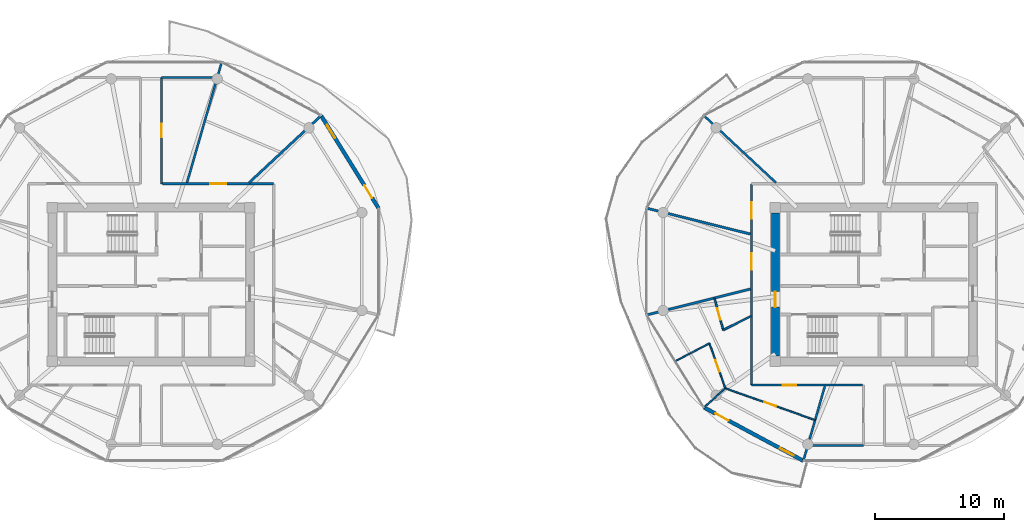
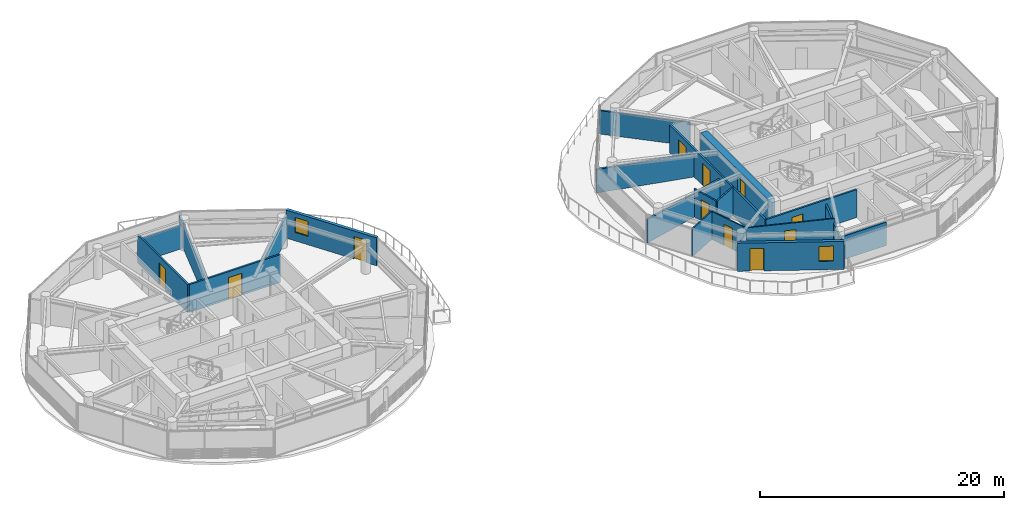
# One storey, part 15 of 21: 21 walls, 11 doors, 2 windows, 13 openings.
"""IFC4 building model written with IfcOpenShell, lengths in metres."""

from ifc_helpers import new_model, si_unit, direction, frame, frame_2d, origin, place, context, subcontext, project, spatial, rectangle, extrude, source, transform, mapped, material, layer, layer_set, type_object, type_shapes, element, fill, save


model = new_model("IFC4")

# Units and contexts
model_context = context("Model", 3, precision=1e-05, world=origin(), true_north=direction((0.0, 1.0)))
body_context = subcontext(model_context, "Body", "Model", "MODEL_VIEW")
ifc_project = project(units=[si_unit("LENGTHUNIT", "METRE"), si_unit("AREAUNIT", "SQUARE_METRE"), si_unit("VOLUMEUNIT", "CUBIC_METRE"), si_unit("PLANEANGLEUNIT", "RADIAN"), si_unit("MASSUNIT", "GRAM", prefix="KILO")], contexts=[model_context])

# Site, building, storey
site_placement = place(None, origin())
site = spatial("IfcSite", under=ifc_project, at=site_placement, CompositionType="ELEMENT")
building_placement = place(site_placement, origin())
building = spatial("IfcBuilding", under=site, at=building_placement, Name="Norrkilde Senior Care Towers", CompositionType="ELEMENT")
storey_placement = place(building_placement, frame((0.0, 0.0, 140.39990234375)))
storey = spatial("IfcBuildingStorey", under=building, at=storey_placement, Name="L43", CompositionType="ELEMENT", Elevation=140.39990234375)

# Wall, opening, door
ifc_material_1 = material(Name="Concrete C50/60", Category="concrete")
ifc_layer_1 = layer(ifc_material_1, 0.6201171875)
ifc_layer_set_1 = layer_set([ifc_layer_1], Name="Concrete C50/60")
wall_type_1 = type_object("IfcWallType", Name="Core Shear Wall Z3 620", PredefinedType="SHEAR", material=ifc_layer_set_1)
shared_shape_1 = source(origin(), body_context, "Body", "SweptSolid", [
    extrude(rectangle(XDim=11.10009765625, YDim=0.6201171875, at=frame_2d((5.550048828125, 0.0))), origin(), (0.0, 0.0, 1.0), 2.81005859375),
])
type_shapes(wall_type_1, [shared_shape_1])
wall_1_placement = place(storey_placement, frame((20.35009765625, -5.550048828125, 0.0), z_axis=(0.0, 0.0, 1.0), x_axis=(0.0, 1.0, 0.0)))
wall_1 = element("IfcWall", 1, at=wall_1_placement, inside=storey, type_object=wall_type_1, Name="L43 Core E West Shear Wall", PredefinedType="SHEAR", context=body_context, shape_type="MappedRepresentation", body=[
    mapped(shared_shape_1, transform((0.0, 0.0, 0.0), x_axis=(1.0, 0.0, 0.0), y_axis=(0.0, 1.0, 0.0), z_axis=(0.0, 0.0, 1.0), scale=1.0)),
])
opening_1_placement = place(wall_1_placement, frame((3.800048828125, 0.0, 0.0)))
opening_1 = element("IfcOpeningElement", 2, at=opening_1_placement, cuts=wall_1, Name="Opening D-04", PredefinedType="OPENING", context=body_context, shape_type="SweptSolid", body=[
    extrude(rectangle(XDim=1.199951171875, YDim=2.14990234375, at=frame_2d((0.60009765625, 1.074951171875))), frame((0.0, 0.320068359375, 0.0), z_axis=(0.0, -1.0, 0.0), x_axis=(1.0, 0.0, 0.0)), (0.0, 0.0, 1.0), 0.64013671875),
])
ifc_material_2 = material(Name="Galvanised Painted Steel", Category="steel")
door_type_1 = type_object("IfcDoorType", Name="Firefighting Lobby Fire Door 1200x2150", OperationType="NOTDEFINED", PredefinedType="DOOR", material=ifc_material_2)
shared_shape_2 = source(origin(), body_context, "Body", "SweptSolid", [
    extrude(rectangle(XDim=1.199951171875, YDim=2.14990234375, at=frame_2d((0.60009765625, 1.074951171875))), frame((0.0, 0.02490234375, 0.0), z_axis=(0.0, -1.0, 0.0), x_axis=(1.0, 0.0, 0.0)), (0.0, 0.0, 1.0), 0.050048828125),
])
type_shapes(door_type_1, [shared_shape_2])
door_1_placement = place(opening_1_placement, frame((1.199951171875, 0.0, 0.0), z_axis=(0.0, 0.0, 1.0), x_axis=(-1.0, 0.0, 0.0)))
door_1 = element("IfcDoor", 3, at=door_1_placement, inside=storey, type_object=door_type_1, Name="L43 Core E West Portal Door", OperationType="SINGLE_SWING_LEFT", OverallHeight=2.14990234375, OverallWidth=1.199951171875, PredefinedType="DOOR", context=body_context, shape_type="MappedRepresentation", body=[
    mapped(shared_shape_2, transform((0.0, 0.0, 0.0), x_axis=(1.0, 0.0, 0.0), y_axis=(0.0, 1.0, 0.0), z_axis=(0.0, 0.0, 1.0), scale=1.0)),
])
fill(opening_1, door_1)

# Wall, openings, door, window
ifc_material_3 = material(Name="Precast concrete C45/55", Category="concrete")
ifc_layer_2 = layer(ifc_material_3, 0.2900390625)
ifc_layer_set_2 = layer_set([ifc_layer_2], Name="Precast concrete C45/55")
wall_type_2 = type_object("IfcWallType", Name="Winter Garden Facade Wall 290", PredefinedType="SOLIDWALL", material=ifc_layer_set_2)
shared_shape_3 = source(origin(), body_context, "Body", "SweptSolid", [
    extrude(rectangle(XDim=8.741943359375, YDim=0.2900390625, at=frame_2d((4.37109375, 0.0))), origin(), (0.0, 0.0, 1.0), 2.81005859375),
])
wall_2_placement = place(storey_placement, frame((22.528564453125, -13.66015625, 0.0), z_axis=(0.0, 0.0, 1.0), x_axis=(-0.880998740657, 0.473118609823, 0.0)))
wall_2 = element("IfcWall", 4, at=wall_2_placement, inside=storey, type_object=wall_type_2, Name="L43 Drum E Balcony Access Wall 07", PredefinedType="SOLIDWALL", context=body_context, shape_type="MappedRepresentation", body=[
    mapped(shared_shape_3, transform((0.0, 0.0, 0.0), x_axis=(1.0, 0.0, 0.0), y_axis=(0.0, 1.0, 0.0), z_axis=(0.0, 0.0, 1.0), scale=1.0)),
])
opening_2_placement = place(wall_2_placement, frame((6.580078125, 0.0, 0.0)))
opening_2 = element("IfcOpeningElement", 5, at=opening_2_placement, cuts=wall_2, Name="Opening D-09", PredefinedType="OPENING", context=body_context, shape_type="SweptSolid", body=[
    extrude(rectangle(XDim=1.14990234375, YDim=2.25, at=frame_2d((0.574951171875, 1.125))), frame((0.0, 0.155029296875, 0.0), z_axis=(0.0, -1.0, 0.0), x_axis=(1.0, 0.0, 0.0)), (0.0, 0.0, 1.0), 0.31005859375),
])
opening_3_placement = place(wall_2_placement, frame((0.85009765625, 0.0, 0.85009765625)))
opening_3 = element("IfcOpeningElement", 6, at=opening_3_placement, cuts=wall_2, Name="Opening WN-07", PredefinedType="OPENING", context=body_context, shape_type="SweptSolid", body=[
    extrude(rectangle(XDim=1.199951171875, YDim=1.5, at=frame_2d((0.60009765625, 0.75))), frame((0.0, 0.155029296875, 0.0), z_axis=(0.0, -1.0, 0.0), x_axis=(1.0, 0.0, 0.0)), (0.0, 0.0, 1.0), 0.31005859375),
])
ifc_material_4 = material(Name="Anodised Aluminium", Category="aluminium")
door_type_2 = type_object("IfcDoorType", Name="Terrace and Balcony Glazed Door 1150x2250", OperationType="NOTDEFINED", PredefinedType="DOOR", material=ifc_material_4)
shared_shape_4 = source(origin(), body_context, "Body", "SweptSolid", [
    extrude(rectangle(XDim=1.14990234375, YDim=2.25, at=frame_2d((0.574951171875, 1.125))), frame((0.0, 0.02490234375, 0.0), z_axis=(0.0, -1.0, 0.0), x_axis=(1.0, 0.0, 0.0)), (0.0, 0.0, 1.0), 0.050048828125),
])
type_shapes(door_type_2, [shared_shape_4])
door_2_placement = place(opening_2_placement, origin())
door_2 = element("IfcDoor", 7, at=door_2_placement, inside=storey, type_object=door_type_2, Name="L43 Drum E Outdoor Terrace Door 07", OperationType="SINGLE_SWING_RIGHT", OverallHeight=2.25, OverallWidth=1.14990234375, PredefinedType="DOOR", context=body_context, shape_type="MappedRepresentation", body=[
    mapped(shared_shape_4, transform((0.0, 0.0, 0.0), x_axis=(1.0, 0.0, 0.0), y_axis=(0.0, 1.0, 0.0), z_axis=(0.0, 0.0, 1.0), scale=1.0)),
])
fill(opening_2, door_2)
ifc_material_5 = material(Name="Triple Low-E Insulated Glazing", Category="glass")
window_type = type_object("IfcWindowType", Name="Stairwell Smoke Vent Window 1200x1500", PartitioningType="SINGLE_PANEL", PredefinedType="WINDOW", material=ifc_material_5)
shared_shape_5 = source(origin(), body_context, "Body", "SweptSolid", [
    extrude(rectangle(XDim=1.199951171875, YDim=1.5, at=frame_2d((0.60009765625, 0.75))), frame((0.0, 0.030029296875, 0.0), z_axis=(0.0, -1.0, 0.0), x_axis=(1.0, 0.0, 0.0)), (0.0, 0.0, 1.0), 0.06005859375),
])
type_shapes(window_type, [shared_shape_5])
window_1_placement = place(opening_3_placement, origin())
window_1 = element("IfcWindow", 8, at=window_1_placement, inside=storey, type_object=window_type, Name="L43 Drum E Winter Garden Window 07", OverallHeight=1.5, OverallWidth=1.199951171875, PartitioningType="SINGLE_PANEL", PredefinedType="WINDOW", context=body_context, shape_type="MappedRepresentation", body=[
    mapped(shared_shape_5, transform((0.0, 0.0, 0.0), x_axis=(1.0, 0.0, 0.0), y_axis=(0.0, 1.0, 0.0), z_axis=(0.0, 0.0, 1.0), scale=1.0)),
])
fill(opening_3, window_1)

shared_shape_6 = source(origin(), body_context, "Body", "SweptSolid", [
    extrude(rectangle(XDim=8.431396484375, YDim=0.2900390625, at=frame_2d((4.2158203125, 0.0))), origin(), (0.0, 0.0, 1.0), 2.81005859375),
])
type_shapes(wall_type_2, [shared_shape_3, shared_shape_6])
wall_3_placement = place(storey_placement, frame((-14.826904296875, 13.074951171875, 0.0), z_axis=(0.0, 0.0, 1.0), x_axis=(0.527377998418, -0.849630770855, 0.0)))
wall_3 = element("IfcWall", 9, at=wall_3_placement, inside=storey, type_object=wall_type_2, Name="L43 Drum W Balcony Access Wall 00", PredefinedType="SOLIDWALL", context=body_context, shape_type="MappedRepresentation", body=[
    mapped(shared_shape_6, transform((0.0, 0.0, 0.0), x_axis=(1.0, 0.0, 0.0), y_axis=(0.0, 1.0, 0.0), z_axis=(0.0, 0.0, 1.0), scale=1.0)),
])
opening_4_placement = place(wall_3_placement, frame((6.340087890625, 0.0, 0.0)))
opening_4 = element("IfcOpeningElement", 10, at=opening_4_placement, cuts=wall_3, Name="Opening D-09", PredefinedType="OPENING", context=body_context, shape_type="SweptSolid", body=[
    extrude(rectangle(XDim=1.14990234375, YDim=2.25, at=frame_2d((0.574951171875, 1.125))), frame((0.0, 0.155029296875, 0.0), z_axis=(0.0, -1.0, 0.0), x_axis=(1.0, 0.0, 0.0)), (0.0, 0.0, 1.0), 0.31005859375),
])
opening_5_placement = place(wall_3_placement, frame((0.85009765625, 0.0, 0.85009765625)))
opening_5 = element("IfcOpeningElement", 11, at=opening_5_placement, cuts=wall_3, Name="Opening WN-07", PredefinedType="OPENING", context=body_context, shape_type="SweptSolid", body=[
    extrude(rectangle(XDim=1.199951171875, YDim=1.5, at=frame_2d((0.60009765625, 0.75))), frame((0.0, 0.155029296875, 0.0), z_axis=(0.0, -1.0, 0.0), x_axis=(1.0, 0.0, 0.0)), (0.0, 0.0, 1.0), 0.31005859375),
])
door_3_placement = place(opening_4_placement, origin())
door_3 = element("IfcDoor", 12, at=door_3_placement, inside=storey, type_object=door_type_2, Name="L43 Drum W Outdoor Terrace Door 00", OperationType="SINGLE_SWING_LEFT", OverallHeight=2.25, OverallWidth=1.14990234375, PredefinedType="DOOR", context=body_context, shape_type="MappedRepresentation", body=[
    mapped(shared_shape_4, transform((0.0, 0.0, 0.0), x_axis=(1.0, 0.0, 0.0), y_axis=(0.0, 1.0, 0.0), z_axis=(0.0, 0.0, 1.0), scale=1.0)),
])
fill(opening_4, door_3)
window_2_placement = place(opening_5_placement, origin())
window_2 = element("IfcWindow", 13, at=window_2_placement, inside=storey, type_object=window_type, Name="L43 Drum W Winter Garden Window 00", OverallHeight=1.5, OverallWidth=1.199951171875, PartitioningType="SINGLE_PANEL", PredefinedType="WINDOW", context=body_context, shape_type="MappedRepresentation", body=[
    mapped(shared_shape_5, transform((0.0, 0.0, 0.0), x_axis=(1.0, 0.0, 0.0), y_axis=(0.0, 1.0, 0.0), z_axis=(0.0, 0.0, 1.0), scale=1.0)),
])
fill(opening_5, window_2)

# Wall, opening, door
ifc_material_6 = material(Name="Gypsum Acoustic Board")
ifc_layer_3 = layer(ifc_material_6, 0.1650390625)
ifc_layer_set_3 = layer_set([ifc_layer_3], Name="Gypsum Acoustic Board")
wall_type_3 = type_object("IfcWallType", Name="Corridor Rated Partition 165", PredefinedType="PARTITIONING", material=ifc_layer_set_3)
shared_shape_7 = source(origin(), body_context, "Body", "SweptSolid", [
    extrude(rectangle(XDim=8.60009765625, YDim=0.1650390625, at=frame_2d((4.300048828125, 0.0))), origin(), (0.0, 0.0, 1.0), 2.795166015625),
])
wall_4_placement = place(storey_placement, frame((-27.10009765625, 7.800048828125, 0.0), z_axis=(0.0, 0.0, 1.0), x_axis=(1.0, 0.0, 0.0)))
wall_4 = element("IfcWall", 14, at=wall_4_placement, inside=storey, type_object=wall_type_3, Name="WL-INT-L43-W-CRW-N-1", PredefinedType="PARTITIONING", context=body_context, shape_type="MappedRepresentation", body=[
    mapped(shared_shape_7, transform((0.0, 0.0, 0.0), x_axis=(1.0, 0.0, 0.0), y_axis=(0.0, 1.0, 0.0), z_axis=(0.0, 0.0, 1.0), scale=1.0)),
])
opening_6_placement = place(wall_4_placement, frame((3.688232421875, 0.0, 0.0)))
opening_6 = element("IfcOpeningElement", 15, at=opening_6_placement, cuts=wall_4, Name="Opening D-05", PredefinedType="OPENING", context=body_context, shape_type="SweptSolid", body=[
    extrude(rectangle(XDim=1.25, YDim=2.199951171875, at=frame_2d((0.625, 1.10009765625))), frame((0.0, 0.092529296875, 0.0), z_axis=(0.0, -1.0, 0.0), x_axis=(1.0, 0.0, 0.0)), (0.0, 0.0, 1.0), 0.18505859375),
])
ifc_material_7 = material(Name="Nordic Ash Timber", Category="wood")
door_type_3 = type_object("IfcDoorType", Name="Care Bedroom Bariatric Door 1250x2200", OperationType="NOTDEFINED", PredefinedType="DOOR", material=ifc_material_7)
shared_shape_8 = source(origin(), body_context, "Body", "SweptSolid", [
    extrude(rectangle(XDim=1.25, YDim=2.199951171875, at=frame_2d((0.625, 1.10009765625))), frame((0.0, 0.02490234375, 0.0), z_axis=(0.0, -1.0, 0.0), x_axis=(1.0, 0.0, 0.0)), (0.0, 0.0, 1.0), 0.050048828125),
])
type_shapes(door_type_3, [shared_shape_8])
door_4_placement = place(opening_6_placement, frame((1.25, 0.0, 0.0), z_axis=(0.0, 0.0, 1.0), x_axis=(-1.0, 0.0, 0.0)))
door_4 = element("IfcDoor", 16, at=door_4_placement, inside=storey, type_object=door_type_3, Name="L43 Household Therapeutic Kitchen Door", OperationType="SINGLE_SWING_RIGHT", OverallHeight=2.199951171875, OverallWidth=1.25, PredefinedType="DOOR", context=body_context, shape_type="MappedRepresentation", body=[
    mapped(shared_shape_8, transform((0.0, 0.0, 0.0), x_axis=(1.0, 0.0, 0.0), y_axis=(0.0, 1.0, 0.0), z_axis=(0.0, 0.0, 1.0), scale=1.0)),
])
fill(opening_6, door_4)

wall_5_placement = place(storey_placement, frame((27.10009765625, -7.800048828125, 0.0), z_axis=(0.0, 0.0, 1.0), x_axis=(-1.0, 0.0, 0.0)))
wall_5 = element("IfcWall", 17, at=wall_5_placement, inside=storey, type_object=wall_type_3, Name="WL-INT-L43-E-CRW-S-1", PredefinedType="PARTITIONING", context=body_context, shape_type="MappedRepresentation", body=[
    mapped(shared_shape_7, transform((0.0, 0.0, 0.0), x_axis=(1.0, 0.0, 0.0), y_axis=(0.0, 1.0, 0.0), z_axis=(0.0, 0.0, 1.0), scale=1.0)),
])
opening_7_placement = place(wall_5_placement, frame((5.11474609375, 0.0, 0.0)))
opening_7 = element("IfcOpeningElement", 18, at=opening_7_placement, cuts=wall_5, Name="Opening D-06", PredefinedType="OPENING", context=body_context, shape_type="SweptSolid", body=[
    extrude(rectangle(XDim=1.050048828125, YDim=2.14990234375, at=frame_2d((0.52490234375, 1.074951171875))), frame((0.0, 0.092529296875, 0.0), z_axis=(0.0, -1.0, 0.0), x_axis=(1.0, 0.0, 0.0)), (0.0, 0.0, 1.0), 0.18505859375),
])
door_type_4 = type_object("IfcDoorType", Name="Apartment Entrance Fire Door 1050x2150", OperationType="NOTDEFINED", PredefinedType="DOOR", material=ifc_material_7)
shared_shape_9 = source(origin(), body_context, "Body", "SweptSolid", [
    extrude(rectangle(XDim=1.050048828125, YDim=2.14990234375, at=frame_2d((0.52490234375, 1.074951171875))), frame((0.0, 0.02490234375, 0.0), z_axis=(0.0, -1.0, 0.0), x_axis=(1.0, 0.0, 0.0)), (0.0, 0.0, 1.0), 0.050048828125),
])
type_shapes(door_type_4, [shared_shape_9])
door_5_placement = place(opening_7_placement, frame((1.050048828125, 0.0, 0.0), z_axis=(0.0, 0.0, 1.0), x_axis=(-1.0, 0.0, 0.0)))
door_5 = element("IfcDoor", 19, at=door_5_placement, inside=storey, type_object=door_type_4, Name="Apartment 43C Entrance Door", OperationType="SINGLE_SWING_LEFT", OverallHeight=2.14990234375, OverallWidth=1.050048828125, PredefinedType="DOOR", context=body_context, shape_type="MappedRepresentation", body=[
    mapped(shared_shape_9, transform((0.0, 0.0, 0.0), x_axis=(1.0, 0.0, 0.0), y_axis=(0.0, 1.0, 0.0), z_axis=(0.0, 0.0, 1.0), scale=1.0)),
])
fill(opening_7, door_5)

# Wall, openings, doors
shared_shape_10 = source(origin(), body_context, "Body", "SweptSolid", [
    extrude(rectangle(XDim=15.60009765625, YDim=0.1650390625, at=frame_2d((7.800048828125, 0.0))), origin(), (0.0, 0.0, 1.0), 2.795166015625),
])
wall_6_placement = place(storey_placement, frame((18.5, -7.800048828125, 0.0), z_axis=(0.0, 0.0, 1.0), x_axis=(0.0, 1.0, 0.0)))
wall_6 = element("IfcWall", 20, at=wall_6_placement, inside=storey, type_object=wall_type_3, Name="WL-INT-L43-E-CRW-W-0", PredefinedType="PARTITIONING", context=body_context, shape_type="MappedRepresentation", body=[
    mapped(shared_shape_10, transform((0.0, 0.0, 0.0), x_axis=(1.0, 0.0, 0.0), y_axis=(0.0, 1.0, 0.0), z_axis=(0.0, 0.0, 1.0), scale=1.0)),
])
opening_8_placement = place(wall_6_placement, frame((12.903076171875, 0.0, 0.0)))
opening_8 = element("IfcOpeningElement", 21, at=opening_8_placement, cuts=wall_6, Name="Opening D-05", PredefinedType="OPENING", context=body_context, shape_type="SweptSolid", body=[
    extrude(rectangle(XDim=1.25, YDim=2.199951171875, at=frame_2d((0.625, 1.10009765625))), frame((0.0, 0.092529296875, 0.0), z_axis=(0.0, -1.0, 0.0), x_axis=(1.0, 0.0, 0.0)), (0.0, 0.0, 1.0), 0.18505859375),
])
opening_9_placement = place(wall_6_placement, frame((8.950439453125, 0.0, 0.0)))
opening_9 = element("IfcOpeningElement", 22, at=opening_9_placement, cuts=wall_6, Name="Opening D-05", PredefinedType="OPENING", context=body_context, shape_type="SweptSolid", body=[
    extrude(rectangle(XDim=1.25, YDim=2.199951171875, at=frame_2d((0.625, 1.10009765625))), frame((0.0, 0.092529296875, 0.0), z_axis=(0.0, -1.0, 0.0), x_axis=(1.0, 0.0, 0.0)), (0.0, 0.0, 1.0), 0.18505859375),
])
door_6_placement = place(opening_8_placement, frame((1.25, 0.0, 0.0), z_axis=(0.0, 0.0, 1.0), x_axis=(-1.0, 0.0, 0.0)))
door_6 = element("IfcDoor", 23, at=door_6_placement, inside=storey, type_object=door_type_3, Name="L43 Sky-Garden Observatory Dining Salon L43 Door", OperationType="SINGLE_SWING_LEFT", OverallHeight=2.199951171875, OverallWidth=1.25, PredefinedType="DOOR", context=body_context, shape_type="MappedRepresentation", body=[
    mapped(shared_shape_8, transform((0.0, 0.0, 0.0), x_axis=(1.0, 0.0, 0.0), y_axis=(0.0, 1.0, 0.0), z_axis=(0.0, 0.0, 1.0), scale=1.0)),
])
fill(opening_8, door_6)
door_7_placement = place(opening_9_placement, frame((1.25, 0.0, 0.0), z_axis=(0.0, 0.0, 1.0), x_axis=(-1.0, 0.0, 0.0)))
door_7 = element("IfcDoor", 24, at=door_7_placement, inside=storey, type_object=door_type_3, Name="L43 Senior Wellness Library Lounge Door", OperationType="SINGLE_SWING_RIGHT", OverallHeight=2.199951171875, OverallWidth=1.25, PredefinedType="DOOR", context=body_context, shape_type="MappedRepresentation", body=[
    mapped(shared_shape_8, transform((0.0, 0.0, 0.0), x_axis=(1.0, 0.0, 0.0), y_axis=(0.0, 1.0, 0.0), z_axis=(0.0, 0.0, 1.0), scale=1.0)),
])
fill(opening_9, door_7)

# Walls
shared_shape_11 = source(origin(), body_context, "Body", "SweptSolid", [
    extrude(rectangle(XDim=9.73046875, YDim=0.1650390625, at=frame_2d((4.865234375, 0.0))), origin(), (0.0, 0.0, 1.0), 2.34521484375),
])
wall_7_placement = place(storey_placement, frame((-25.216552734375, 7.8798828125, 0.0), z_axis=(0.0, 0.0, 1.0), x_axis=(0.27679492614, 0.960929013436, 0.0)))
element("IfcWall", 25, at=wall_7_placement, inside=storey, type_object=wall_type_3, Name="WL-INT-L43-W-DEM-02-0", PredefinedType="PARTITIONING", context=body_context, shape_type="MappedRepresentation", body=[
    mapped(shared_shape_11, transform((0.0, 0.0, 0.0), x_axis=(1.0, 0.0, 0.0), y_axis=(0.0, 1.0, 0.0), z_axis=(0.0, 0.0, 1.0), scale=1.0)),
])
shared_shape_12 = source(origin(), body_context, "Body", "SweptSolid", [
    extrude(rectangle(XDim=6.035400390625, YDim=0.1650390625, at=frame_2d((3.017578125, 0.0))), origin(), (0.0, 0.0, 1.0), 2.34521484375),
])
wall_8_placement = place(storey_placement, frame((24.19384765625, -7.8798828125, 0.0), z_axis=(0.0, 0.0, 1.0), x_axis=(-0.276809454862, -0.960924828329, 0.0)))
element("IfcWall", 26, at=wall_8_placement, inside=storey, type_object=wall_type_3, Name="WL-INT-L43-E-DEM-08-0", PredefinedType="PARTITIONING", context=body_context, shape_type="MappedRepresentation", body=[
    mapped(shared_shape_12, transform((0.0, 0.0, 0.0), x_axis=(1.0, 0.0, 0.0), y_axis=(0.0, 1.0, 0.0), z_axis=(0.0, 0.0, 1.0), scale=1.0)),
])

# Wall, opening, door
shared_shape_13 = source(origin(), body_context, "Body", "SweptSolid", [
    extrude(rectangle(XDim=8.2353515625, YDim=0.1650390625, at=frame_2d((4.11767578125, 0.0))), origin(), (0.0, 0.0, 1.0), 2.795166015625),
])
wall_9_placement = place(storey_placement, frame((-27.179931640625, 7.800048828125, 0.0), z_axis=(0.0, 0.0, 1.0), x_axis=(0.0, 1.0, 0.0)))
wall_9 = element("IfcWall", 27, at=wall_9_placement, inside=storey, type_object=wall_type_3, Name="WL-INT-L43-W-PKW-NEL", PredefinedType="PARTITIONING", context=body_context, shape_type="MappedRepresentation", body=[
    mapped(shared_shape_13, transform((0.0, 0.0, 0.0), x_axis=(1.0, 0.0, 0.0), y_axis=(0.0, 1.0, 0.0), z_axis=(0.0, 0.0, 1.0), scale=1.0)),
])
opening_10_placement = place(wall_9_placement, frame((3.5927734375, 0.0, 0.0)))
opening_10 = element("IfcOpeningElement", 28, at=opening_10_placement, cuts=wall_9, Name="Opening D-06", PredefinedType="OPENING", context=body_context, shape_type="SweptSolid", body=[
    extrude(rectangle(XDim=1.050048828125, YDim=2.14990234375, at=frame_2d((0.52490234375, 1.074951171875))), frame((0.0, 0.092529296875, 0.0), z_axis=(0.0, -1.0, 0.0), x_axis=(1.0, 0.0, 0.0)), (0.0, 0.0, 1.0), 0.18505859375),
])
door_8_placement = place(opening_10_placement, frame((1.050048828125, 0.0, 0.0), z_axis=(0.0, 0.0, 1.0), x_axis=(-1.0, 0.0, 0.0)))
door_8 = element("IfcDoor", 29, at=door_8_placement, inside=storey, type_object=door_type_4, Name="L43 Reading Lounge NEL Door", OperationType="SINGLE_SWING_RIGHT", OverallHeight=2.14990234375, OverallWidth=1.050048828125, PredefinedType="DOOR", context=body_context, shape_type="MappedRepresentation", body=[
    mapped(shared_shape_9, transform((0.0, 0.0, 0.0), x_axis=(1.0, 0.0, 0.0), y_axis=(0.0, 1.0, 0.0), z_axis=(0.0, 0.0, 1.0), scale=1.0)),
])
fill(opening_10, door_8)

# Walls
shared_shape_14 = source(origin(), body_context, "Body", "SweptSolid", [
    extrude(rectangle(XDim=4.46875, YDim=0.1650390625, at=frame_2d((2.234375, 0.0))), origin(), (0.0, 0.0, 1.0), 2.34521484375),
])
for number, where, z_axis, x_axis, name in (
    (30, (-27.179931640625, 16.035400390625, 0.0), (0.0, 0.0, 1.0), (1.0, 0.0, 0.0), "WL-INT-L43-W-PKH-NEL-0"),
    (31, (22.711181640625, -12.484619140625, 0.0), (0.0, 0.0, 1.0), (1.0, 0.0, 0.0), "WL-INT-L43-E-PKH-SWL-0"),
):
    element("IfcWall", number, at=place(storey_placement, frame(where, z_axis=z_axis, x_axis=x_axis)), inside=storey, type_object=wall_type_3, Name=name, PredefinedType="PARTITIONING", context=body_context, shape_type="MappedRepresentation", body=[
        mapped(shared_shape_14, transform((0.0, 0.0, 0.0), x_axis=(1.0, 0.0, 0.0), y_axis=(0.0, 1.0, 0.0), z_axis=(0.0, 0.0, 1.0), scale=1.0)),
    ])
ifc_layer_4 = layer(ifc_material_6, 0.18994140625)
ifc_layer_set_4 = layer_set([ifc_layer_4], Name="Gypsum Acoustic Board")
wall_type_4 = type_object("IfcWallType", Name="Unit Demising Acoustic Wall 190", PredefinedType="PARTITIONING", material=ifc_layer_set_4)
shared_shape_15 = source(origin(), body_context, "Body", "SweptSolid", [
    extrude(rectangle(XDim=8.305419921875, YDim=0.18994140625, at=frame_2d((4.15283203125, 0.0))), origin(), (0.0, 0.0, 1.0), 2.34521484375),
])
for number, where, z_axis, x_axis, name in (
    (32, (18.419921875, 3.90771484375, 0.0), (0.0, 0.0, 1.0), (-0.970309994378, 0.241864662175, 0.0), "WL-INT-L43-E-DEM-05-0"),
    (33, (18.419921875, -0.35693359375, 0.0), (0.0, 0.0, 1.0), (-0.970309994378, -0.241864662175, 0.0), "WL-INT-L43-E-DEM-06-0"),
):
    element("IfcWall", number, at=place(storey_placement, frame(where, z_axis=z_axis, x_axis=x_axis)), inside=storey, type_object=wall_type_4, Name=name, PredefinedType="PARTITIONING", context=body_context, shape_type="MappedRepresentation", body=[
        mapped(shared_shape_15, transform((0.0, 0.0, 0.0), x_axis=(1.0, 0.0, 0.0), y_axis=(0.0, 1.0, 0.0), z_axis=(0.0, 0.0, 1.0), scale=1.0)),
    ])
shared_shape_16 = source(origin(), body_context, "Body", "SweptSolid", [
    extrude(rectangle(XDim=7.648193359375, YDim=0.18994140625, at=frame_2d((3.82421875, 0.0))), origin(), (0.0, 0.0, 1.0), 2.34521484375),
])
type_shapes(wall_type_4, [shared_shape_15, shared_shape_16])
wall_10_placement = place(storey_placement, frame((-20.41259765625, 7.8798828125, 0.0), z_axis=(0.0, 0.0, 1.0), x_axis=(0.732182665826, 0.681108320213, 0.0)))
element("IfcWall", 34, at=wall_10_placement, inside=storey, type_object=wall_type_4, Name="WL-INT-L43-W-DEM-01-0", PredefinedType="PARTITIONING", context=body_context, shape_type="MappedRepresentation", body=[
    mapped(shared_shape_16, transform((0.0, 0.0, 0.0), x_axis=(1.0, 0.0, 0.0), y_axis=(0.0, 1.0, 0.0), z_axis=(0.0, 0.0, 1.0), scale=1.0)),
])
shared_shape_17 = source(origin(), body_context, "Body", "SweptSolid", [
    extrude(rectangle(XDim=7.648193359375, YDim=0.1650390625, at=frame_2d((3.82421875, 0.0))), origin(), (0.0, 0.0, 1.0), 2.34521484375),
])
type_shapes(wall_type_3, [shared_shape_7, shared_shape_10, shared_shape_11, shared_shape_12, shared_shape_13, shared_shape_14, shared_shape_17])
wall_11_placement = place(storey_placement, frame((20.41259765625, 7.8798828125, 0.0), z_axis=(0.0, 0.0, 1.0), x_axis=(-0.732182665826, 0.681108320213, 0.0)))
element("IfcWall", 35, at=wall_11_placement, inside=storey, type_object=wall_type_3, Name="WL-INT-L43-E-DEM-04-0", PredefinedType="PARTITIONING", context=body_context, shape_type="MappedRepresentation", body=[
    mapped(shared_shape_17, transform((0.0, 0.0, 0.0), x_axis=(1.0, 0.0, 0.0), y_axis=(0.0, 1.0, 0.0), z_axis=(0.0, 0.0, 1.0), scale=1.0)),
])

# Wall, opening, door
ifc_layer_5 = layer(ifc_material_6, 0.114990234375)
ifc_layer_set_5 = layer_set([ifc_layer_5], Name="Gypsum Acoustic Board")
wall_type_5 = type_object("IfcWallType", Name="Internal Room Partition 115", PredefinedType="PARTITIONING", material=ifc_layer_set_5)
shared_shape_18 = source(origin(), body_context, "Body", "SweptSolid", [
    extrude(rectangle(XDim=7.37890625, YDim=0.114990234375, at=frame_2d((3.689453125, 0.0))), origin(), (0.0, 0.0, 1.0), 2.795166015625),
])
wall_12_placement = place(storey_placement, frame((16.48046875, -8.04345703125, 0.0), z_axis=(0.0, 0.0, 1.0), x_axis=(0.942783084163, -0.333406742906, 0.0)))
wall_12 = element("IfcWall", 36, at=wall_12_placement, inside=storey, type_object=wall_type_5, Name="WL-INT-L43-E-UBC-06-1", PredefinedType="PARTITIONING", context=body_context, shape_type="MappedRepresentation", body=[
    mapped(shared_shape_18, transform((0.0, 0.0, 0.0), x_axis=(1.0, 0.0, 0.0), y_axis=(0.0, 1.0, 0.0), z_axis=(0.0, 0.0, 1.0), scale=1.0)),
])
opening_11_placement = place(wall_12_placement, frame((3.21435546875, 0.0, 0.0)))
opening_11 = element("IfcOpeningElement", 37, at=opening_11_placement, cuts=wall_12, Name="Opening D-07", PredefinedType="OPENING", context=body_context, shape_type="SweptSolid", body=[
    extrude(rectangle(XDim=0.949951171875, YDim=2.10009765625, at=frame_2d((0.47509765625, 1.050048828125))), frame((0.0, 0.0673828125, 0.0), z_axis=(0.0, -1.0, 0.0), x_axis=(1.0, 0.0, 0.0)), (0.0, 0.0, 1.0), 0.135009765625),
])
door_type_5 = type_object("IfcDoorType", Name="Internal Suite Bedroom Door 950x2100", OperationType="NOTDEFINED", PredefinedType="DOOR", material=ifc_material_7)
shared_shape_19 = source(origin(), body_context, "Body", "SweptSolid", [
    extrude(rectangle(XDim=0.949951171875, YDim=2.10009765625, at=frame_2d((0.47509765625, 1.050048828125))), frame((0.0, 0.02490234375, 0.0), z_axis=(0.0, -1.0, 0.0), x_axis=(1.0, 0.0, 0.0)), (0.0, 0.0, 1.0), 0.050048828125),
])
type_shapes(door_type_5, [shared_shape_19])
door_9_placement = place(opening_11_placement, origin())
door_9 = element("IfcDoor", 38, at=door_9_placement, inside=storey, type_object=door_type_5, Name="Apartment 43C Bedroom 1 Door", OperationType="SINGLE_SWING_RIGHT", OverallHeight=2.10009765625, OverallWidth=0.949951171875, PredefinedType="DOOR", context=body_context, shape_type="MappedRepresentation", body=[
    mapped(shared_shape_19, transform((0.0, 0.0, 0.0), x_axis=(1.0, 0.0, 0.0), y_axis=(0.0, 1.0, 0.0), z_axis=(0.0, 0.0, 1.0), scale=1.0)),
])
fill(opening_11, door_9)

# Walls
shared_shape_20 = source(origin(), body_context, "Body", "SweptSolid", [
    extrude(rectangle(XDim=2.23974609375, YDim=0.114990234375, at=frame_2d((1.119873046875, 0.0))), origin(), (0.0, 0.0, 1.0), 2.34521484375),
])
wall_13_placement = place(storey_placement, frame((16.48046875, -8.04345703125, 0.0), z_axis=(0.0, 0.0, 1.0), x_axis=(-0.744642300678, -0.66746373987, 0.0)))
element("IfcWall", 39, at=wall_13_placement, inside=storey, type_object=wall_type_5, Name="WL-INT-L43-E-UBR-06-1", PredefinedType="PARTITIONING", context=body_context, shape_type="MappedRepresentation", body=[
    mapped(shared_shape_20, transform((0.0, 0.0, 0.0), x_axis=(1.0, 0.0, 0.0), y_axis=(0.0, 1.0, 0.0), z_axis=(0.0, 0.0, 1.0), scale=1.0)),
])
ifc_layer_6 = layer(ifc_material_6, 0.139892578125)
ifc_layer_set_6 = layer_set([ifc_layer_6], Name="Gypsum Acoustic Board")
wall_type_6 = type_object("IfcWallType", Name="En-suite Wet Room Wall 140", PredefinedType="PARTITIONING", material=ifc_layer_set_6)
shared_shape_21 = source(origin(), body_context, "Body", "SweptSolid", [
    extrude(rectangle(XDim=2.402587890625, YDim=0.139892578125, at=frame_2d((1.201171875, 0.0))), origin(), (0.0, 0.0, 1.0), 2.795166015625),
])
wall_14_placement = place(storey_placement, frame((18.469970703125, -2.455810546875, 0.0), z_axis=(0.0, 0.0, 1.0), x_axis=(-0.895339866084, -0.445383569748, 0.0)))
element("IfcWall", 40, at=wall_14_placement, inside=storey, type_object=wall_type_6, Name="WL-INT-L43-E-UBTS-06", PredefinedType="PARTITIONING", context=body_context, shape_type="MappedRepresentation", body=[
    mapped(shared_shape_21, transform((0.0, 0.0, 0.0), x_axis=(1.0, 0.0, 0.0), y_axis=(0.0, 1.0, 0.0), z_axis=(0.0, 0.0, 1.0), scale=1.0)),
])

# Wall, opening, door
shared_shape_22 = source(origin(), body_context, "Body", "SweptSolid", [
    extrude(rectangle(XDim=2.551513671875, YDim=0.139892578125, at=frame_2d((1.27587890625, 0.0))), origin(), (0.0, 0.0, 1.0), 2.795166015625),
])
type_shapes(wall_type_6, [shared_shape_21, shared_shape_22])
wall_15_placement = place(storey_placement, frame((16.31884765625, -3.52587890625, 0.0), z_axis=(0.0, 0.0, 1.0), x_axis=(-0.266395035708, 0.963863934874, 0.0)))
wall_15 = element("IfcWall", 41, at=wall_15_placement, inside=storey, type_object=wall_type_6, Name="WL-INT-L43-E-UBTF-06", PredefinedType="PARTITIONING", context=body_context, shape_type="MappedRepresentation", body=[
    mapped(shared_shape_22, transform((0.0, 0.0, 0.0), x_axis=(1.0, 0.0, 0.0), y_axis=(0.0, 1.0, 0.0), z_axis=(0.0, 0.0, 1.0), scale=1.0)),
])
opening_12_placement = place(wall_15_placement, frame((0.81591796875, 0.0, 0.0)))
opening_12 = element("IfcOpeningElement", 42, at=opening_12_placement, cuts=wall_15, Name="Opening D-08", PredefinedType="OPENING", context=body_context, shape_type="SweptSolid", body=[
    extrude(rectangle(XDim=0.919921875, YDim=2.10009765625, at=frame_2d((0.4599609375, 1.050048828125))), frame((0.0, 0.079833984375, 0.0), z_axis=(0.0, -1.0, 0.0), x_axis=(1.0, 0.0, 0.0)), (0.0, 0.0, 1.0), 0.159912109375),
])
door_type_6 = type_object("IfcDoorType", Name="Accessible Wet Room Door 920x2100", OperationType="NOTDEFINED", PredefinedType="DOOR", material=ifc_material_7)
shared_shape_23 = source(origin(), body_context, "Body", "SweptSolid", [
    extrude(rectangle(XDim=0.919921875, YDim=2.10009765625, at=frame_2d((0.4599609375, 1.050048828125))), frame((0.0, 0.02490234375, 0.0), z_axis=(0.0, -1.0, 0.0), x_axis=(1.0, 0.0, 0.0)), (0.0, 0.0, 1.0), 0.050048828125),
])
type_shapes(door_type_6, [shared_shape_23])
door_10_placement = place(opening_12_placement, origin())
door_10 = element("IfcDoor", 43, at=door_10_placement, inside=storey, type_object=door_type_6, Name="Apartment 43C Bathroom Door", OperationType="SINGLE_SWING_RIGHT", OverallHeight=2.10009765625, OverallWidth=0.919921875, PredefinedType="DOOR", context=body_context, shape_type="MappedRepresentation", body=[
    mapped(shared_shape_23, transform((0.0, 0.0, 0.0), x_axis=(1.0, 0.0, 0.0), y_axis=(0.0, 1.0, 0.0), z_axis=(0.0, 0.0, 1.0), scale=1.0)),
])
fill(opening_12, door_10)

# Wall
shared_shape_24 = source(origin(), body_context, "Body", "SweptSolid", [
    extrude(rectangle(XDim=3.005126953125, YDim=0.114990234375, at=frame_2d((1.50244140625, 0.0))), origin(), (0.0, 0.0, 1.0), 2.795166015625),
])
wall_16_placement = place(storey_placement, frame((15.24951171875, -4.55859375, 0.0), z_axis=(0.0, 0.0, 1.0), x_axis=(-0.885987312953, -0.4637094794, 0.0)))
element("IfcWall", 44, at=wall_16_placement, inside=storey, type_object=wall_type_5, Name="WL-INT-L43-E-UKTS-06", PredefinedType="PARTITIONING", context=body_context, shape_type="MappedRepresentation", body=[
    mapped(shared_shape_24, transform((0.0, 0.0, 0.0), x_axis=(1.0, 0.0, 0.0), y_axis=(0.0, 1.0, 0.0), z_axis=(0.0, 0.0, 1.0), scale=1.0)),
])

# Wall, opening, door
shared_shape_25 = source(origin(), body_context, "Body", "SweptSolid", [
    extrude(rectangle(XDim=3.69287109375, YDim=0.114990234375, at=frame_2d((1.846435546875, 0.0))), origin(), (0.0, 0.0, 1.0), 2.795166015625),
])
type_shapes(wall_type_5, [shared_shape_18, shared_shape_20, shared_shape_24, shared_shape_25])
wall_17_placement = place(storey_placement, frame((15.24951171875, -4.55859375, 0.0), z_axis=(0.0, 0.0, 1.0), x_axis=(0.334849241433, -0.94227171533, 0.0)))
wall_17 = element("IfcWall", 45, at=wall_17_placement, inside=storey, type_object=wall_type_5, Name="WL-INT-L43-E-UKTF-06", PredefinedType="PARTITIONING", context=body_context, shape_type="MappedRepresentation", body=[
    mapped(shared_shape_25, transform((0.0, 0.0, 0.0), x_axis=(1.0, 0.0, 0.0), y_axis=(0.0, 1.0, 0.0), z_axis=(0.0, 0.0, 1.0), scale=1.0)),
])
opening_13_placement = place(wall_17_placement, frame((1.37158203125, 0.0, 0.0)))
opening_13 = element("IfcOpeningElement", 46, at=opening_13_placement, cuts=wall_17, Name="Opening D-07", PredefinedType="OPENING", context=body_context, shape_type="SweptSolid", body=[
    extrude(rectangle(XDim=0.949951171875, YDim=2.10009765625, at=frame_2d((0.47509765625, 1.050048828125))), frame((0.0, 0.0673828125, 0.0), z_axis=(0.0, -1.0, 0.0), x_axis=(1.0, 0.0, 0.0)), (0.0, 0.0, 1.0), 0.135009765625),
])
door_11_placement = place(opening_13_placement, frame((0.949951171875, 0.0, 0.0), z_axis=(0.0, 0.0, 1.0), x_axis=(-1.0, 0.0, 0.0)))
door_11 = element("IfcDoor", 47, at=door_11_placement, inside=storey, type_object=door_type_5, Name="Apartment 43C Kitchen Door", OperationType="SINGLE_SWING_LEFT", OverallHeight=2.10009765625, OverallWidth=0.949951171875, PredefinedType="DOOR", context=body_context, shape_type="MappedRepresentation", body=[
    mapped(shared_shape_19, transform((0.0, 0.0, 0.0), x_axis=(1.0, 0.0, 0.0), y_axis=(0.0, 1.0, 0.0), z_axis=(0.0, 0.0, 1.0), scale=1.0)),
])
fill(opening_13, door_11)

save(model, "model.ifc")
